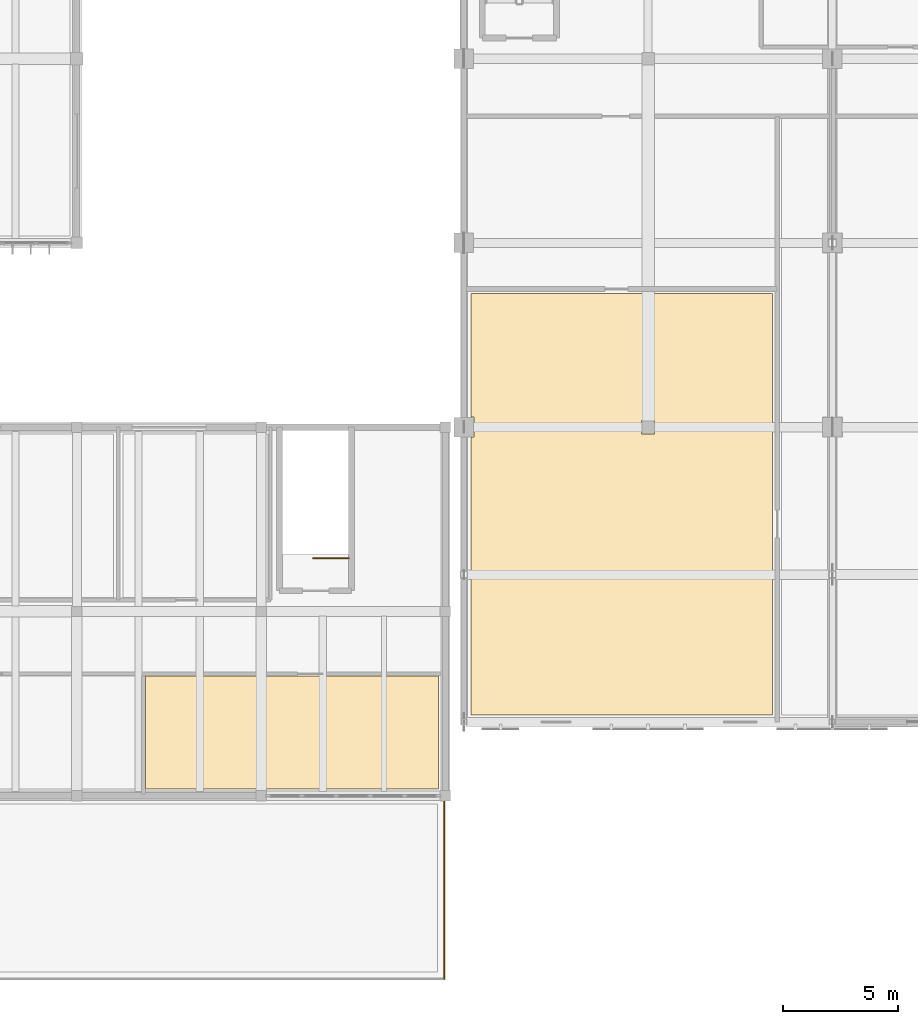
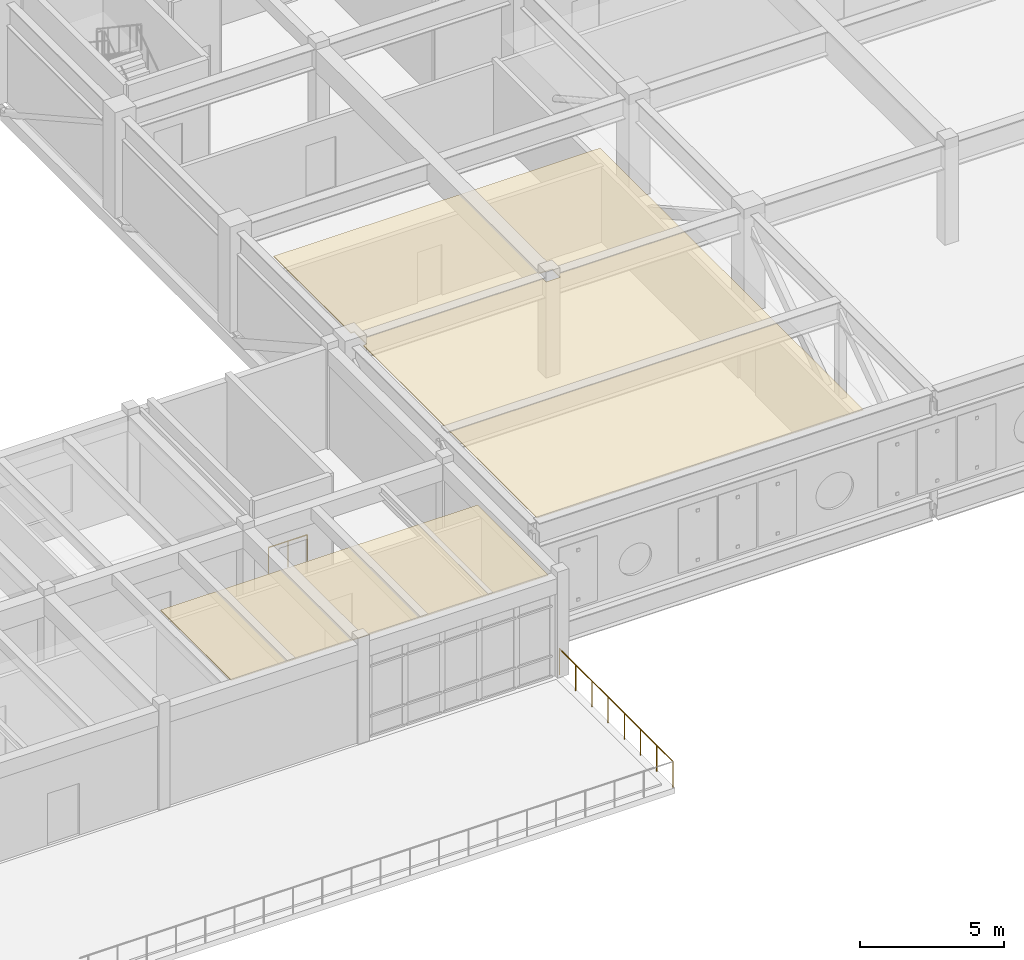
# One storey, part 66 of 79: 2 coverings, 2 railings.
"""IFC4 building model written with IfcOpenShell, lengths in metres."""

from ifc_helpers import new_model, si_unit, direction, frame, origin, origin_2d, place, context, subcontext, project, spatial, polyline, circle, outline, extrude, material, layer, layer_set, type_object, element, save


model = new_model("IFC4")

# Units and contexts
model_context = context("Model", 3, precision=1e-05, world=origin(), true_north=direction((0.0, 1.0)))
body_context = subcontext(model_context, "Body", "Model", "MODEL_VIEW")
ifc_project = project(units=[si_unit("LENGTHUNIT", "METRE"), si_unit("AREAUNIT", "SQUARE_METRE"), si_unit("VOLUMEUNIT", "CUBIC_METRE"), si_unit("PLANEANGLEUNIT", "RADIAN"), si_unit("MASSUNIT", "GRAM", prefix="KILO")], contexts=[model_context])

# Site, building, storey
site_placement = place(None, origin())
site = spatial("IfcSite", under=ifc_project, at=site_placement, CompositionType="ELEMENT")
building_placement = place(site_placement, origin())
building = spatial("IfcBuilding", under=site, at=building_placement, Name="Tlaxcora Railside Police Headquarters", CompositionType="ELEMENT")
storey_placement = place(building_placement, frame((0.0, 0.0, 9.0)))
storey = spatial("IfcBuildingStorey", under=building, at=storey_placement, Name="L02", CompositionType="ELEMENT", Elevation=9.0)

# Coverings
ifc_material_1 = material(Name="Mineral-fibre acoustic ceiling tile")
ifc_layer = layer(ifc_material_1, 0.034912109375, Name="Mineral-fibre acoustic ceiling tile")
ifc_layer_set = layer_set([ifc_layer], Name="Mineral-fibre acoustic ceiling tile")
covering_type = type_object("IfcCoveringType", Name="Acoustic Suspended Ceiling CLG-01", PredefinedType="CEILING", material=ifc_layer_set)
covering_1_placement = place(storey_placement, frame((0.0, 0.0, 4.06494140625)))
element("IfcCovering", 1, at=covering_1_placement, inside=storey, type_object=covering_type, Name="Public Affairs and Media Suite suspended ceiling", PredefinedType="CEILING", context=body_context, shape_type="SweptSolid", body=[
    extrude(outline(polyline([(32.175048828125, 25.199951171875), (32.175048828125, 20.300048828125), (44.89990234375, 20.300048828125), (44.89990234375, 25.199951171875), (32.175048828125, 25.199951171875)])), origin(), (0.0, 0.0, 1.0), 0.03515625),
])
covering_2_placement = place(storey_placement, frame((0.0, 0.0, 4.06494140625)))
element("IfcCovering", 2, at=covering_2_placement, inside=storey, type_object=covering_type, Name="Crisis Briefing Room and Joint Operations Chamber suspended ceiling", PredefinedType="CEILING", context=body_context, shape_type="SweptSolid", body=[
    extrude(outline(polyline([(59.39990234375, 23.5), (59.39990234375, 41.800048828125), (46.300048828125, 41.800048828125), (46.300048828125, 36.43505859375), (46.43505859375, 36.43505859375), (46.43505859375, 35.56494140625), (46.300048828125, 35.56494140625), (46.300048828125, 23.5), (59.39990234375, 23.5)]), holes=[polyline([(54.284912109375, 35.715087890625), (53.715087890625, 35.715087890625), (53.715087890625, 36.284912109375), (54.284912109375, 36.284912109375), (54.284912109375, 35.715087890625)])]), origin(), (0.0, 0.0, 1.0), 0.03515625),
])

# Railings
ifc_material_2 = material(Name="Steel ASTM A992 Grade 50", Category="steel")
railing_type_1 = type_object("IfcRailingType", Name="Stair Well Guard Balustrade GR-02", PredefinedType="BALUSTRADE", material=ifc_material_2)
railing_1_placement = place(storey_placement, frame((41.010009765625, 30.31005859375, 0.0)))
element("IfcRailing", 3, at=railing_1_placement, inside=storey, type_object=railing_type_1, Name="L02 ST10 top well guard 1", PredefinedType="BALUSTRADE", context=body_context, shape_type="SweptSolid", body=[
    extrude(circle(Radius=0.02392578125, at=origin_2d()), frame((0.0, 0.0, 1.09619140625), z_axis=(-1.0, 0.0, 0.0), x_axis=(0.0, -1.0, 0.0)), (0.0, 0.0, 1.0), 1.550048828125),
    extrude(circle(Radius=0.02099609375, at=origin_2d()), origin(), (0.0, 0.0, 1.0), 1.072021484375),
    extrude(circle(Radius=0.02099609375, at=origin_2d()), frame((-0.77490234375, 0.0, 0.0)), (0.0, 0.0, 1.0), 1.072021484375),
    extrude(circle(Radius=0.02099609375, at=origin_2d()), frame((-1.550048828125, 0.0, 0.0)), (0.0, 0.0, 1.0), 1.072021484375),
])
railing_type_2 = type_object("IfcRailingType", Name="Terrace Perimeter Guard Balustrade GR-01", PredefinedType="BALUSTRADE", material=ifc_material_2)
railing_2_placement = place(storey_placement, frame((45.14990234375, 12.050048828125, 0.0)))
element("IfcRailing", 4, at=railing_2_placement, inside=storey, type_object=railing_type_2, Name="TERR-V4-L02 perimeter guard 3", PredefinedType="BALUSTRADE", context=body_context, shape_type="SweptSolid", body=[
    extrude(circle(Radius=0.02392578125, at=origin_2d()), frame((0.0, 0.0, 1.09619140625), z_axis=(0.0, 1.0, 0.0), x_axis=(-1.0, 0.0, 0.0)), (0.0, 0.0, 1.0), 7.89990234375),
    extrude(circle(Radius=0.02099609375, at=origin_2d()), origin(), (0.0, 0.0, 1.0), 1.072021484375),
    extrude(circle(Radius=0.02099609375, at=origin_2d()), frame((0.0, 1.128662109375, 0.0)), (0.0, 0.0, 1.0), 1.072021484375),
    extrude(circle(Radius=0.02099609375, at=origin_2d()), frame((0.0, 2.257080078125, 0.0)), (0.0, 0.0, 1.0), 1.072021484375),
    extrude(circle(Radius=0.02099609375, at=origin_2d()), frame((0.0, 3.3857421875, 0.0)), (0.0, 0.0, 1.0), 1.072021484375),
    extrude(circle(Radius=0.02099609375, at=origin_2d()), frame((0.0, 4.51416015625, 0.0)), (0.0, 0.0, 1.0), 1.072021484375),
    extrude(circle(Radius=0.02099609375, at=origin_2d()), frame((0.0, 5.642822265625, 0.0)), (0.0, 0.0, 1.0), 1.072021484375),
    extrude(circle(Radius=0.02099609375, at=origin_2d()), frame((0.0, 6.771240234375, 0.0)), (0.0, 0.0, 1.0), 1.072021484375),
    extrude(circle(Radius=0.02099609375, at=origin_2d()), frame((0.0, 7.89990234375, 0.0)), (0.0, 0.0, 1.0), 1.072021484375),
])

save(model, "model.ifc")
